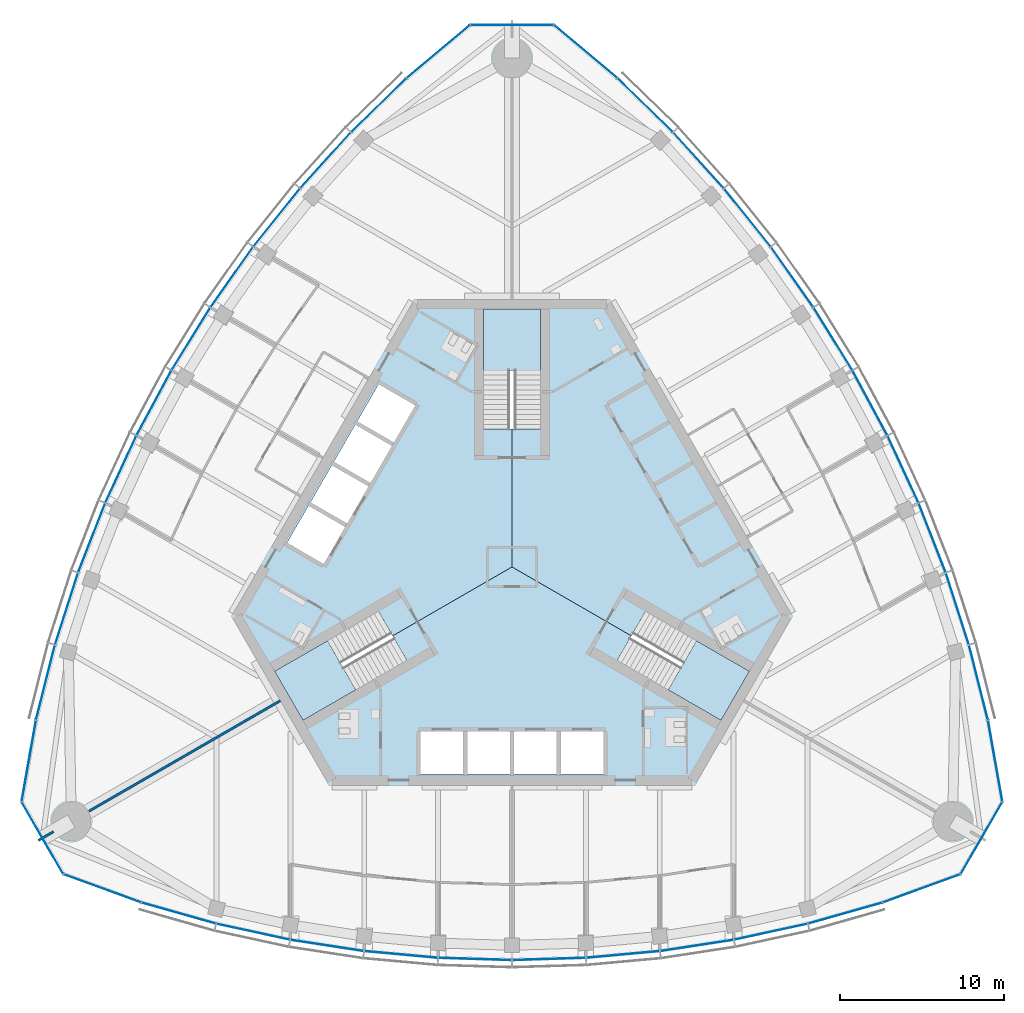
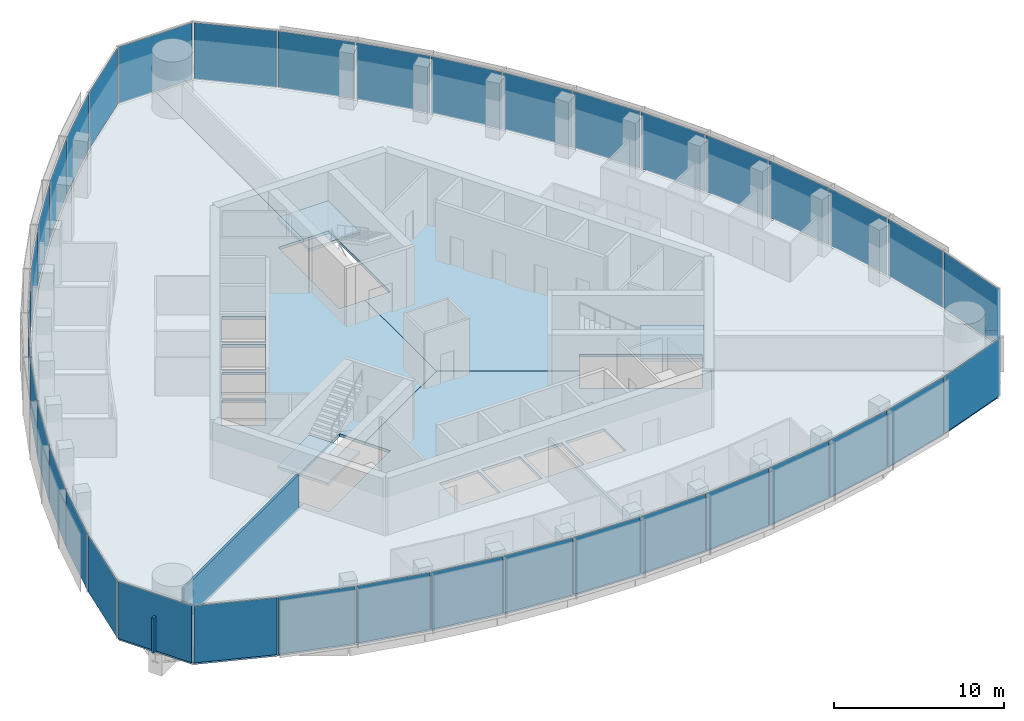
# One storey, part 7 of 16: 39 plates, 6 slabs, 2 walls, 9 elements without a shape of their own.
"""IFC4 building model written with IfcOpenShell, lengths in metres."""

from ifc_helpers import new_model, si_unit, direction, frame, frame_2d, origin, origin_2d, place, context, subcontext, project, spatial, polyline, rectangle, outline, extrude, material, layer, layer_set, type_object, element, aggregate, save


model = new_model("IFC4")

# Units and contexts
model_context = context("Model", 3, precision=1e-05, world=origin(), true_north=direction((0.0, 1.0)))
body_context = subcontext(model_context, "Body", "Model", "MODEL_VIEW")
ifc_project = project(units=[si_unit("LENGTHUNIT", "METRE"), si_unit("AREAUNIT", "SQUARE_METRE"), si_unit("VOLUMEUNIT", "CUBIC_METRE"), si_unit("PLANEANGLEUNIT", "RADIAN"), si_unit("MASSUNIT", "GRAM", prefix="KILO")], contexts=[model_context])

# Site, building, storey
site_placement = place(None, origin())
site = spatial("IfcSite", under=ifc_project, at=site_placement, CompositionType="ELEMENT")
building_placement = place(site_placement, origin())
building = spatial("IfcBuilding", under=site, at=building_placement, Name="Trefoil Bronze Tower", CompositionType="ELEMENT")
storey_placement = place(building_placement, frame((0.0, 0.0, 305.699951171875)))
storey = spatial("IfcBuildingStorey", under=building, at=storey_placement, Name="L70", CompositionType="ELEMENT", Elevation=305.699951171875)

# Curtain wall, plates
ifc_material_1 = material(Name="Tinted solar-control glass", Category="glass")
curtain_wall_type_1 = type_object("IfcCurtainWallType", Name="Bronze office curtain wall", PredefinedType="USERDEFINED", material=ifc_material_1)
curtain_wall_1_placement = place(storey_placement, origin())
curtain_wall_1 = element("IfcCurtainWall", 1, at=curtain_wall_1_placement, inside=storey, type_object=curtain_wall_type_1, Name="CW-A L70 F1", ObjectType="CURTAIN WALL", PredefinedType="USERDEFINED")
ifc_material_2 = material(Name="Tinted solar-control glass", Category="glass")
ifc_layer_1 = layer(ifc_material_2, 0.030029296875)
ifc_layer_set_1 = layer_set([ifc_layer_1], Name="Bronze office curtain wall glass panel")
plate_type_1 = type_object("IfcPlateType", Name="Bronze office curtain wall glass panel", PredefinedType="CURTAIN_PANEL", material=ifc_layer_set_1)
plate_1_placement = place(storey_placement, frame((-20.301513671875, -21.092529296875, 0.0), z_axis=(0.0, 0.0, 1.0), x_axis=(0.962097746943, -0.272704831875, 0.0)))
plate_1 = element("IfcPlate", 2, at=plate_1_placement, type_object=plate_type_1, Name="CW-A L70 F1 panel 1", PredefinedType="CURTAIN_PANEL", context=body_context, shape_type="SweptSolid", body=[
    extrude(rectangle(XDim=4.6474609375, YDim=0.030029296875, at=origin_2d()), origin(), (0.0, 0.0, 1.0), 4.080078125),
])
plate_2_placement = place(storey_placement, frame((-15.771240234375, -22.226318359375, 0.0), z_axis=(0.0, 0.0, 1.0), x_axis=(0.977303138829, -0.211845639168, 0.0)))
plate_2 = element("IfcPlate", 3, at=plate_2_placement, type_object=plate_type_1, Name="CW-A L70 F1 panel 2", PredefinedType="CURTAIN_PANEL", context=body_context, shape_type="SweptSolid", body=[
    extrude(rectangle(XDim=4.5244140625, YDim=0.030029296875, at=origin_2d()), origin(), (0.0, 0.0, 1.0), 4.080078125),
])
plate_3_placement = place(storey_placement, frame((-11.26513671875, -23.0595703125, 0.0), z_axis=(0.0, 0.0, 1.0), x_axis=(0.988485337216, -0.151316681529, 0.0)))
plate_3 = element("IfcPlate", 4, at=plate_3_placement, type_object=plate_type_1, Name="CW-A L70 F1 panel 3", PredefinedType="CURTAIN_PANEL", context=body_context, shape_type="SweptSolid", body=[
    extrude(rectangle(XDim=4.472412109375, YDim=0.030029296875, at=origin_2d()), origin(), (0.0, 0.0, 1.0), 4.080078125),
])
plate_4_placement = place(storey_placement, frame((-6.759033203125, -23.60986328125, 0.0), z_axis=(0.0, 0.0, 1.0), x_axis=(0.99587011625, -0.090789380212, 0.0)))
plate_4 = element("IfcPlate", 5, at=plate_4_placement, type_object=plate_type_1, Name="CW-A L70 F1 panel 4", PredefinedType="CURTAIN_PANEL", context=body_context, shape_type="SweptSolid", body=[
    extrude(rectangle(XDim=4.438720703125, YDim=0.030029296875, at=origin_2d()), origin(), (0.0, 0.0, 1.0), 4.080078125),
])
plate_5_placement = place(storey_placement, frame((-2.2529296875, -23.883544921875, 0.0), z_axis=(0.0, 0.0, 1.0), x_axis=(0.999541969785, -0.030263024264, 0.0)))
plate_5 = element("IfcPlate", 6, at=plate_5_placement, type_object=plate_type_1, Name="CW-A L70 F1 panel 5", PredefinedType="CURTAIN_PANEL", context=body_context, shape_type="SweptSolid", body=[
    extrude(rectangle(XDim=4.422119140625, YDim=0.030029296875, at=origin_2d()), origin(), (0.0, 0.0, 1.0), 4.080078125),
])
plate_6_placement = place(storey_placement, frame((2.2529296875, -23.883544921875, 0.0), z_axis=(0.0, 0.0, 1.0), x_axis=(0.999541969785, 0.030263024264, 0.0)))
plate_6 = element("IfcPlate", 7, at=plate_6_placement, type_object=plate_type_1, Name="CW-A L70 F1 panel 6", PredefinedType="CURTAIN_PANEL", context=body_context, shape_type="SweptSolid", body=[
    extrude(rectangle(XDim=4.422119140625, YDim=0.030029296875, at=origin_2d()), origin(), (0.0, 0.0, 1.0), 4.080078125),
])
plate_7_placement = place(storey_placement, frame((6.759033203125, -23.60986328125, 0.0), z_axis=(0.0, 0.0, 1.0), x_axis=(0.99587011625, 0.090789380212, 0.0)))
plate_7 = element("IfcPlate", 8, at=plate_7_placement, type_object=plate_type_1, Name="CW-A L70 F1 panel 7", PredefinedType="CURTAIN_PANEL", context=body_context, shape_type="SweptSolid", body=[
    extrude(rectangle(XDim=4.438720703125, YDim=0.030029296875, at=origin_2d()), origin(), (0.0, 0.0, 1.0), 4.080078125),
])
plate_8_placement = place(storey_placement, frame((11.26513671875, -23.0595703125, 0.0), z_axis=(0.0, 0.0, 1.0), x_axis=(0.988485337216, 0.151316681529, 0.0)))
plate_8 = element("IfcPlate", 9, at=plate_8_placement, type_object=plate_type_1, Name="CW-A L70 F1 panel 8", PredefinedType="CURTAIN_PANEL", context=body_context, shape_type="SweptSolid", body=[
    extrude(rectangle(XDim=4.472412109375, YDim=0.030029296875, at=origin_2d()), origin(), (0.0, 0.0, 1.0), 4.080078125),
])
plate_9_placement = place(storey_placement, frame((15.771240234375, -22.226318359375, 0.0), z_axis=(0.0, 0.0, 1.0), x_axis=(0.977303138829, 0.211845639168, 0.0)))
plate_9 = element("IfcPlate", 10, at=plate_9_placement, type_object=plate_type_1, Name="CW-A L70 F1 panel 9", PredefinedType="CURTAIN_PANEL", context=body_context, shape_type="SweptSolid", body=[
    extrude(rectangle(XDim=4.5244140625, YDim=0.030029296875, at=origin_2d()), origin(), (0.0, 0.0, 1.0), 4.080078125),
])
plate_10_placement = place(storey_placement, frame((20.301513671875, -21.092529296875, 0.0), z_axis=(0.0, 0.0, 1.0), x_axis=(0.962097746943, 0.272704831875, 0.0)))
plate_10 = element("IfcPlate", 11, at=plate_10_placement, type_object=plate_type_1, Name="CW-A L70 F1 panel 10", PredefinedType="CURTAIN_PANEL", context=body_context, shape_type="SweptSolid", body=[
    extrude(rectangle(XDim=4.6474609375, YDim=0.030029296875, at=origin_2d()), origin(), (0.0, 0.0, 1.0), 4.080078125),
])
aggregate(curtain_wall_1, [plate_1, plate_2, plate_3, plate_4, plate_5, plate_6, plate_7, plate_8, plate_9, plate_10])

curtain_wall_2_placement = place(storey_placement, origin())
curtain_wall_2 = element("IfcCurtainWall", 12, at=curtain_wall_2_placement, inside=storey, type_object=curtain_wall_type_1, Name="CW-A L70 F2", ObjectType="CURTAIN WALL", PredefinedType="USERDEFINED")
plate_11_placement = place(storey_placement, frame((28.417236328125, -7.035400390625, 0.0), z_axis=(0.0, 0.0, 1.0), x_axis=(-0.244879561333, 0.969553505713, 0.0)))
plate_11 = element("IfcPlate", 13, at=plate_11_placement, type_object=plate_type_1, Name="CW-A L70 F2 panel 1", PredefinedType="CURTAIN_PANEL", context=body_context, shape_type="SweptSolid", body=[
    extrude(rectangle(XDim=4.6474609375, YDim=0.030029296875, at=origin_2d()), origin(), (0.0, 0.0, 1.0), 4.080078125),
])
plate_12_placement = place(storey_placement, frame((27.134033203125, -2.545166015625, 0.0), z_axis=(0.0, 0.0, 1.0), x_axis=(-0.305187864214, 0.952292165009, 0.0)))
plate_12 = element("IfcPlate", 14, at=plate_12_placement, type_object=plate_type_1, Name="CW-A L70 F2 panel 2", PredefinedType="CURTAIN_PANEL", context=body_context, shape_type="SweptSolid", body=[
    extrude(rectangle(XDim=4.5244140625, YDim=0.030029296875, at=origin_2d()), origin(), (0.0, 0.0, 1.0), 4.080078125),
])
plate_13_placement = place(storey_placement, frame((25.602783203125, 1.77392578125, 0.0), z_axis=(0.0, 0.0, 1.0), x_axis=(-0.363198578387, 0.931711754062, 0.0)))
plate_13 = element("IfcPlate", 15, at=plate_13_placement, type_object=plate_type_1, Name="CW-A L70 F2 panel 3", PredefinedType="CURTAIN_PANEL", context=body_context, shape_type="SweptSolid", body=[
    extrude(rectangle(XDim=4.472412109375, YDim=0.030029296875, at=origin_2d()), origin(), (0.0, 0.0, 1.0), 4.080078125),
])
plate_14_placement = place(storey_placement, frame((23.826171875, 5.951416015625, 0.0), z_axis=(0.0, 0.0, 1.0), x_axis=(-0.419309148468, 0.907843509649, 0.0)))
plate_14 = element("IfcPlate", 16, at=plate_14_placement, type_object=plate_type_1, Name="CW-A L70 F2 panel 4", PredefinedType="CURTAIN_PANEL", context=body_context, shape_type="SweptSolid", body=[
    extrude(rectangle(XDim=4.438720703125, YDim=0.030029296875, at=origin_2d()), origin(), (0.0, 0.0, 1.0), 4.080078125),
])
plate_15_placement = place(storey_placement, frame((21.81005859375, 9.990478515625, 0.0), z_axis=(0.0, 0.0, 1.0), x_axis=(-0.473562437085, 0.880760250115, 0.0)))
plate_15 = element("IfcPlate", 17, at=plate_15_placement, type_object=plate_type_1, Name="CW-A L70 F2 panel 5", PredefinedType="CURTAIN_PANEL", context=body_context, shape_type="SweptSolid", body=[
    extrude(rectangle(XDim=4.422119140625, YDim=0.030029296875, at=origin_2d()), origin(), (0.0, 0.0, 1.0), 4.080078125),
])
plate_16_placement = place(storey_placement, frame((19.55712890625, 13.892822265625, 0.0), z_axis=(0.0, 0.0, 1.0), x_axis=(-0.525979532701, 0.850497225851, 0.0)))
plate_16 = element("IfcPlate", 18, at=plate_16_placement, type_object=plate_type_1, Name="CW-A L70 F2 panel 6", PredefinedType="CURTAIN_PANEL", context=body_context, shape_type="SweptSolid", body=[
    extrude(rectangle(XDim=4.422119140625, YDim=0.030029296875, at=origin_2d()), origin(), (0.0, 0.0, 1.0), 4.080078125),
])
plate_17_placement = place(storey_placement, frame((17.067138671875, 17.658447265625, 0.0), z_axis=(0.0, 0.0, 1.0), x_axis=(-0.576560967783, 0.817054129437, 0.0)))
plate_17 = element("IfcPlate", 19, at=plate_17_placement, type_object=plate_type_1, Name="CW-A L70 F2 panel 7", PredefinedType="CURTAIN_PANEL", context=body_context, shape_type="SweptSolid", body=[
    extrude(rectangle(XDim=4.438720703125, YDim=0.030029296875, at=origin_2d()), origin(), (0.0, 0.0, 1.0), 4.080078125),
])
plate_18_placement = place(storey_placement, frame((14.337646484375, 21.28564453125, 0.0), z_axis=(0.0, 0.0, 1.0), x_axis=(-0.625286758829, 0.780395072533, 0.0)))
plate_18 = element("IfcPlate", 20, at=plate_18_placement, type_object=plate_type_1, Name="CW-A L70 F2 panel 8", PredefinedType="CURTAIN_PANEL", context=body_context, shape_type="SweptSolid", body=[
    extrude(rectangle(XDim=4.472412109375, YDim=0.030029296875, at=origin_2d()), origin(), (0.0, 0.0, 1.0), 4.080078125),
])
plate_19_placement = place(storey_placement, frame((11.36279296875, 24.771484375, 0.0), z_axis=(0.0, 0.0, 1.0), x_axis=(-0.672115274615, 0.74044652584, 0.0)))
plate_19 = element("IfcPlate", 21, at=plate_19_placement, type_object=plate_type_1, Name="CW-A L70 F2 panel 9", PredefinedType="CURTAIN_PANEL", context=body_context, shape_type="SweptSolid", body=[
    extrude(rectangle(XDim=4.5244140625, YDim=0.030029296875, at=origin_2d()), origin(), (0.0, 0.0, 1.0), 4.080078125),
])
plate_20_placement = place(storey_placement, frame((8.115966796875, 28.127685546875, 0.0), z_axis=(0.0, 0.0, 1.0), x_axis=(-0.71721818561, 0.696848673839, 0.0)))
plate_20 = element("IfcPlate", 22, at=plate_20_placement, type_object=plate_type_1, Name="CW-A L70 F2 panel 10", PredefinedType="CURTAIN_PANEL", context=body_context, shape_type="SweptSolid", body=[
    extrude(rectangle(XDim=4.6474609375, YDim=0.030029296875, at=origin_2d()), origin(), (0.0, 0.0, 1.0), 4.080078125),
])
aggregate(curtain_wall_2, [plate_11, plate_12, plate_13, plate_14, plate_15, plate_16, plate_17, plate_18, plate_19, plate_20])

curtain_wall_3_placement = place(storey_placement, origin())
curtain_wall_3 = element("IfcCurtainWall", 23, at=curtain_wall_3_placement, inside=storey, type_object=curtain_wall_type_1, Name="CW-A L70 F3", ObjectType="CURTAIN WALL", PredefinedType="USERDEFINED")
plate_21_placement = place(storey_placement, frame((-8.115966796875, 28.127685546875, 0.0), z_axis=(0.0, 0.0, 1.0), x_axis=(-0.71721818561, -0.696848673839, 0.0)))
plate_21 = element("IfcPlate", 24, at=plate_21_placement, type_object=plate_type_1, Name="CW-A L70 F3 panel 1", PredefinedType="CURTAIN_PANEL", context=body_context, shape_type="SweptSolid", body=[
    extrude(rectangle(XDim=4.6474609375, YDim=0.030029296875, at=origin_2d()), origin(), (0.0, 0.0, 1.0), 4.080078125),
])
plate_22_placement = place(storey_placement, frame((-11.36279296875, 24.771484375, 0.0), z_axis=(0.0, 0.0, 1.0), x_axis=(-0.672115274615, -0.74044652584, 0.0)))
plate_22 = element("IfcPlate", 25, at=plate_22_placement, type_object=plate_type_1, Name="CW-A L70 F3 panel 2", PredefinedType="CURTAIN_PANEL", context=body_context, shape_type="SweptSolid", body=[
    extrude(rectangle(XDim=4.5244140625, YDim=0.030029296875, at=origin_2d()), origin(), (0.0, 0.0, 1.0), 4.080078125),
])
plate_23_placement = place(storey_placement, frame((-14.337646484375, 21.28564453125, 0.0), z_axis=(0.0, 0.0, 1.0), x_axis=(-0.625286758829, -0.780395072533, 0.0)))
plate_23 = element("IfcPlate", 26, at=plate_23_placement, type_object=plate_type_1, Name="CW-A L70 F3 panel 3", PredefinedType="CURTAIN_PANEL", context=body_context, shape_type="SweptSolid", body=[
    extrude(rectangle(XDim=4.472412109375, YDim=0.030029296875, at=origin_2d()), origin(), (0.0, 0.0, 1.0), 4.080078125),
])
plate_24_placement = place(storey_placement, frame((-17.067138671875, 17.658447265625, 0.0), z_axis=(0.0, 0.0, 1.0), x_axis=(-0.576560967783, -0.817054129437, 0.0)))
plate_24 = element("IfcPlate", 27, at=plate_24_placement, type_object=plate_type_1, Name="CW-A L70 F3 panel 4", PredefinedType="CURTAIN_PANEL", context=body_context, shape_type="SweptSolid", body=[
    extrude(rectangle(XDim=4.438720703125, YDim=0.030029296875, at=origin_2d()), origin(), (0.0, 0.0, 1.0), 4.080078125),
])
plate_25_placement = place(storey_placement, frame((-19.55712890625, 13.892822265625, 0.0), z_axis=(0.0, 0.0, 1.0), x_axis=(-0.525979532701, -0.850497225851, 0.0)))
plate_25 = element("IfcPlate", 28, at=plate_25_placement, type_object=plate_type_1, Name="CW-A L70 F3 panel 5", PredefinedType="CURTAIN_PANEL", context=body_context, shape_type="SweptSolid", body=[
    extrude(rectangle(XDim=4.422119140625, YDim=0.030029296875, at=origin_2d()), origin(), (0.0, 0.0, 1.0), 4.080078125),
])
plate_26_placement = place(storey_placement, frame((-21.81005859375, 9.990478515625, 0.0), z_axis=(0.0, 0.0, 1.0), x_axis=(-0.473562437085, -0.880760250115, 0.0)))
plate_26 = element("IfcPlate", 29, at=plate_26_placement, type_object=plate_type_1, Name="CW-A L70 F3 panel 6", PredefinedType="CURTAIN_PANEL", context=body_context, shape_type="SweptSolid", body=[
    extrude(rectangle(XDim=4.422119140625, YDim=0.030029296875, at=origin_2d()), origin(), (0.0, 0.0, 1.0), 4.080078125),
])
plate_27_placement = place(storey_placement, frame((-23.826171875, 5.951416015625, 0.0), z_axis=(0.0, 0.0, 1.0), x_axis=(-0.419309148468, -0.907843509649, 0.0)))
plate_27 = element("IfcPlate", 30, at=plate_27_placement, type_object=plate_type_1, Name="CW-A L70 F3 panel 7", PredefinedType="CURTAIN_PANEL", context=body_context, shape_type="SweptSolid", body=[
    extrude(rectangle(XDim=4.438720703125, YDim=0.030029296875, at=origin_2d()), origin(), (0.0, 0.0, 1.0), 4.080078125),
])
plate_28_placement = place(storey_placement, frame((-25.602783203125, 1.77392578125, 0.0), z_axis=(0.0, 0.0, 1.0), x_axis=(-0.363198578387, -0.931711754062, 0.0)))
plate_28 = element("IfcPlate", 31, at=plate_28_placement, type_object=plate_type_1, Name="CW-A L70 F3 panel 8", PredefinedType="CURTAIN_PANEL", context=body_context, shape_type="SweptSolid", body=[
    extrude(rectangle(XDim=4.472412109375, YDim=0.030029296875, at=origin_2d()), origin(), (0.0, 0.0, 1.0), 4.080078125),
])
plate_29_placement = place(storey_placement, frame((-27.134033203125, -2.545166015625, 0.0), z_axis=(0.0, 0.0, 1.0), x_axis=(-0.305187864214, -0.952292165009, 0.0)))
plate_29 = element("IfcPlate", 32, at=plate_29_placement, type_object=plate_type_1, Name="CW-A L70 F3 panel 9", PredefinedType="CURTAIN_PANEL", context=body_context, shape_type="SweptSolid", body=[
    extrude(rectangle(XDim=4.5244140625, YDim=0.030029296875, at=origin_2d()), origin(), (0.0, 0.0, 1.0), 4.080078125),
])
plate_30_placement = place(storey_placement, frame((-28.417236328125, -7.035400390625, 0.0), z_axis=(0.0, 0.0, 1.0), x_axis=(-0.244879561333, -0.969553505713, 0.0)))
plate_30 = element("IfcPlate", 33, at=plate_30_placement, type_object=plate_type_1, Name="CW-A L70 F3 panel 10", PredefinedType="CURTAIN_PANEL", context=body_context, shape_type="SweptSolid", body=[
    extrude(rectangle(XDim=4.6474609375, YDim=0.030029296875, at=origin_2d()), origin(), (0.0, 0.0, 1.0), 4.080078125),
])
aggregate(curtain_wall_3, [plate_21, plate_22, plate_23, plate_24, plate_25, plate_26, plate_27, plate_28, plate_29, plate_30])

ifc_material_3 = material(Name="Tinted solar-control glass", Category="glass")
curtain_wall_type_2 = type_object("IfcCurtainWallType", Name="Bronze rounded corner curtain wall", PredefinedType="USERDEFINED", material=ifc_material_3)
curtain_wall_4_placement = place(storey_placement, origin())
curtain_wall_4 = element("IfcCurtainWall", 34, at=curtain_wall_4_placement, inside=storey, type_object=curtain_wall_type_2, Name="CW-B L70 K1", ObjectType="CURTAIN WALL", PredefinedType="USERDEFINED")
ifc_material_4 = material(Name="Tinted solar-control glass", Category="glass")
ifc_layer_2 = layer(ifc_material_4, 0.030029296875)
ifc_layer_set_2 = layer_set([ifc_layer_2], Name="Bronze rounded corner curtain wall glass panel")
plate_type_2 = type_object("IfcPlateType", Name="Bronze rounded corner curtain wall glass panel", PredefinedType="CURTAIN_PANEL", material=ifc_layer_set_2)
plate_31_placement = place(storey_placement, frame((24.939453125, -19.587646484375, 0.0), z_axis=(0.0, 0.0, 1.0), x_axis=(0.939692620786, 0.342020143326, 0.0)))
plate_31 = element("IfcPlate", 35, at=plate_31_placement, type_object=plate_type_2, Name="CW-B L70 K1 panel 1", PredefinedType="CURTAIN_PANEL", context=body_context, shape_type="SweptSolid", body=[
    extrude(rectangle(XDim=4.956298828125, YDim=0.030029296875, at=origin_2d()), origin(), (0.0, 0.0, 1.0), 4.080078125),
])
plate_32_placement = place(storey_placement, frame((28.602783203125, -16.513916015625, 0.0), z_axis=(0.0, 0.0, 1.0), x_axis=(0.5, 0.866025403784, 0.0)))
plate_32 = element("IfcPlate", 36, at=plate_32_placement, type_object=plate_type_2, Name="CW-B L70 K1 panel 2", PredefinedType="CURTAIN_PANEL", context=body_context, shape_type="SweptSolid", body=[
    extrude(rectangle(XDim=4.956298828125, YDim=0.030029296875, at=origin_2d()), origin(), (0.0, 0.0, 1.0), 4.080078125),
])
plate_33_placement = place(storey_placement, frame((29.43310546875, -11.80419921875, 0.0), z_axis=(0.0, 0.0, 1.0), x_axis=(-0.173648177667, 0.984807753012, 0.0)))
plate_33 = element("IfcPlate", 37, at=plate_33_placement, type_object=plate_type_2, Name="CW-B L70 K1 panel 3", PredefinedType="CURTAIN_PANEL", context=body_context, shape_type="SweptSolid", body=[
    extrude(rectangle(XDim=4.956298828125, YDim=0.030029296875, at=origin_2d()), origin(), (0.0, 0.0, 1.0), 4.080078125),
])
aggregate(curtain_wall_4, [plate_31, plate_32, plate_33])

curtain_wall_5_placement = place(storey_placement, origin())
curtain_wall_5 = element("IfcCurtainWall", 38, at=curtain_wall_5_placement, inside=storey, type_object=curtain_wall_type_2, Name="CW-B L70 K2", ObjectType="CURTAIN WALL", PredefinedType="USERDEFINED")
plate_34_placement = place(storey_placement, frame((4.493896484375, 31.39208984375, 0.0), z_axis=(0.0, 0.0, 1.0), x_axis=(-0.766044443119, 0.642787609687, 0.0)))
plate_34 = element("IfcPlate", 39, at=plate_34_placement, type_object=plate_type_2, Name="CW-B L70 K2 panel 1", PredefinedType="CURTAIN_PANEL", context=body_context, shape_type="SweptSolid", body=[
    extrude(rectangle(XDim=4.956298828125, YDim=0.030029296875, at=origin_2d()), origin(), (0.0, 0.0, 1.0), 4.080078125),
])
plate_35_placement = place(storey_placement, frame((0.0, 33.027587890625, 0.0), z_axis=(0.0, 0.0, 1.0), x_axis=(-1.0, 0.0, 0.0)))
plate_35 = element("IfcPlate", 40, at=plate_35_placement, type_object=plate_type_2, Name="CW-B L70 K2 panel 2", PredefinedType="CURTAIN_PANEL", context=body_context, shape_type="SweptSolid", body=[
    extrude(rectangle(XDim=4.956298828125, YDim=0.030029296875, at=origin_2d()), origin(), (0.0, 0.0, 1.0), 4.080078125),
])
plate_36_placement = place(storey_placement, frame((-4.493896484375, 31.39208984375, 0.0), z_axis=(0.0, 0.0, 1.0), x_axis=(-0.766044443119, -0.642787609687, 0.0)))
plate_36 = element("IfcPlate", 41, at=plate_36_placement, type_object=plate_type_2, Name="CW-B L70 K2 panel 3", PredefinedType="CURTAIN_PANEL", context=body_context, shape_type="SweptSolid", body=[
    extrude(rectangle(XDim=4.956298828125, YDim=0.030029296875, at=origin_2d()), origin(), (0.0, 0.0, 1.0), 4.080078125),
])
aggregate(curtain_wall_5, [plate_34, plate_35, plate_36])

curtain_wall_6_placement = place(storey_placement, origin())
curtain_wall_6 = element("IfcCurtainWall", 42, at=curtain_wall_6_placement, inside=storey, type_object=curtain_wall_type_2, Name="CW-B L70 K3", ObjectType="CURTAIN WALL", PredefinedType="USERDEFINED")
plate_37_placement = place(storey_placement, frame((-29.43310546875, -11.80419921875, 0.0), z_axis=(0.0, 0.0, 1.0), x_axis=(-0.173648177667, -0.984807753012, 0.0)))
plate_37 = element("IfcPlate", 43, at=plate_37_placement, type_object=plate_type_2, Name="CW-B L70 K3 panel 1", PredefinedType="CURTAIN_PANEL", context=body_context, shape_type="SweptSolid", body=[
    extrude(rectangle(XDim=4.956298828125, YDim=0.030029296875, at=origin_2d()), origin(), (0.0, 0.0, 1.0), 4.080078125),
])
plate_38_placement = place(storey_placement, frame((-28.602783203125, -16.513916015625, 0.0), z_axis=(0.0, 0.0, 1.0), x_axis=(0.5, -0.866025403784, 0.0)))
plate_38 = element("IfcPlate", 44, at=plate_38_placement, type_object=plate_type_2, Name="CW-B L70 K3 panel 2", PredefinedType="CURTAIN_PANEL", context=body_context, shape_type="SweptSolid", body=[
    extrude(rectangle(XDim=4.956298828125, YDim=0.030029296875, at=origin_2d()), origin(), (0.0, 0.0, 1.0), 4.080078125),
])
plate_39_placement = place(storey_placement, frame((-24.939453125, -19.587646484375, 0.0), z_axis=(0.0, 0.0, 1.0), x_axis=(0.939692620786, -0.342020143326, 0.0)))
plate_39 = element("IfcPlate", 45, at=plate_39_placement, type_object=plate_type_2, Name="CW-B L70 K3 panel 3", PredefinedType="CURTAIN_PANEL", context=body_context, shape_type="SweptSolid", body=[
    extrude(rectangle(XDim=4.956298828125, YDim=0.030029296875, at=origin_2d()), origin(), (0.0, 0.0, 1.0), 4.080078125),
])
aggregate(curtain_wall_6, [plate_37, plate_38, plate_39])

# Slabs
ifc_material_5 = material(Name="Concrete B30", Category="concrete")
ifc_layer_3 = layer(ifc_material_5, 0.199951171875)
ifc_layer_set_3 = layer_set([ifc_layer_3], Name="Floor slab 200")
slab_type_1 = type_object("IfcSlabType", Name="Floor slab 200", PredefinedType="FLOOR", material=ifc_layer_set_3)
slab_1_placement = place(storey_placement, frame((0.0, 0.0, -0.199951171875)))
element("IfcSlab", 46, at=slab_1_placement, inside=storey, type_object=slab_type_1, Name="Floor slab L70 face 1", PredefinedType="FLOOR", context=body_context, shape_type="SweptSolid", body=[
    extrude(outline(polyline([(13.5, -22.6162109375), (9.0, -23.30517578125), (4.5, -23.71533203125), (0.0, -23.8515625), (-4.5, -23.71533203125), (-9.0, -23.30517578125), (-13.5, -22.6162109375), (-18.0, -21.640869140625), (-22.54833984375, -20.3515625), (-27.261962890625, -18.635986328125), (-28.51611328125, -16.4638671875), (-13.510009765625, -7.800048828125), (-12.6474609375, -9.2939453125), (-6.412109375, -5.69384765625), (-7.274658203125, -4.199951171875), (0.0, 0.0), (7.274658203125, -4.199951171875), (6.412109375, -5.69384765625), (12.6474609375, -9.2939453125), (13.510009765625, -7.800048828125), (28.51611328125, -16.4638671875), (27.261962890625, -18.635986328125), (22.54833984375, -20.3515625), (18.0, -21.640869140625), (13.5, -22.6162109375)]), holes=[polyline([(-5.574951171875, -10.02490234375), (-2.97509765625, -10.02490234375), (-2.97509765625, -12.60009765625), (-5.574951171875, -12.60009765625), (-5.574951171875, -10.02490234375)]), polyline([(-2.72509765625, -10.02490234375), (-0.125, -10.02490234375), (-0.125, -12.60009765625), (-2.72509765625, -12.60009765625), (-2.72509765625, -10.02490234375)]), polyline([(0.125, -10.02490234375), (2.72509765625, -10.02490234375), (2.72509765625, -12.60009765625), (0.125, -12.60009765625), (0.125, -10.02490234375)]), polyline([(2.97509765625, -10.02490234375), (5.574951171875, -10.02490234375), (5.574951171875, -12.60009765625), (2.97509765625, -12.60009765625), (2.97509765625, -10.02490234375)])]), origin(), (0.0, 0.0, 1.0), 0.199951171875),
])
slab_2_placement = place(storey_placement, frame((0.0, 0.0, -0.199951171875)))
element("IfcSlab", 47, at=slab_2_placement, inside=storey, type_object=slab_type_1, Name="Floor slab L70 face 2", PredefinedType="FLOOR", context=body_context, shape_type="SweptSolid", body=[
    extrude(outline(polyline([(12.836181640625, 22.99951171875), (15.682861328125, 19.44677734375), (18.2880859375, 15.7548828125), (20.656005859375, 11.92578125), (22.7880859375, 7.96044921875), (24.682861328125, 3.8583984375), (26.336181640625, -0.38330078125), (27.741455078125, -4.76806640625), (28.899169921875, -9.3515625), (29.770263671875, -14.291748046875), (28.51611328125, -16.4638671875), (13.510009765625, -7.800048828125), (14.37255859375, -6.30615234375), (8.13720703125, -2.7060546875), (7.274658203125, -4.199951171875), (0.0, 0.0), (0.0, 8.39990234375), (1.72509765625, 8.39990234375), (1.72509765625, 15.60009765625), (0.0, 15.60009765625), (0.0, 32.927490234375), (2.508056640625, 32.927490234375), (6.350830078125, 29.703125), (9.741455078125, 26.408935546875), (12.836181640625, 22.99951171875)])), origin(), (0.0, 0.0, 1.0), 0.199951171875),
])
slab_3_placement = place(storey_placement, frame((0.0, 0.0, -0.199951171875)))
element("IfcSlab", 48, at=slab_3_placement, inside=storey, type_object=slab_type_1, Name="Floor slab L70 face 3", PredefinedType="FLOOR", context=body_context, shape_type="SweptSolid", body=[
    extrude(outline(polyline([(-26.336181640625, -0.38330078125), (-24.682861328125, 3.8583984375), (-22.7880859375, 7.96044921875), (-20.656005859375, 11.92578125), (-18.2880859375, 15.7548828125), (-15.682861328125, 19.44677734375), (-12.836181640625, 22.99951171875), (-9.741455078125, 26.408935546875), (-6.350830078125, 29.703125), (-2.508056640625, 32.927490234375), (0.0, 32.927490234375), (0.0, 15.60009765625), (-1.72509765625, 15.60009765625), (-1.72509765625, 8.39990234375), (0.0, 8.39990234375), (0.0, 0.0), (-7.274658203125, -4.199951171875), (-8.13720703125, -2.7060546875), (-14.37255859375, -6.30615234375), (-13.510009765625, -7.800048828125), (-28.51611328125, -16.4638671875), (-29.770263671875, -14.291748046875), (-28.899169921875, -9.3515625), (-27.741455078125, -4.76806640625), (-26.336181640625, -0.38330078125)]), holes=[polyline([(-5.894287109375, 9.840576171875), (-7.1943359375, 7.5888671875), (-9.42431640625, 8.87646484375), (-8.12451171875, 11.128173828125), (-5.894287109375, 9.840576171875)]), polyline([(-7.3193359375, 7.372314453125), (-8.619384765625, 5.120849609375), (-10.849365234375, 6.408203125), (-9.54931640625, 8.659912109375), (-7.3193359375, 7.372314453125)]), polyline([(-8.744384765625, 4.904296875), (-10.04443359375, 2.652587890625), (-12.2744140625, 3.940185546875), (-10.974365234375, 6.191650390625), (-8.744384765625, 4.904296875)]), polyline([(-10.16943359375, 2.43603515625), (-11.469482421875, 0.184326171875), (-13.699462890625, 1.471923828125), (-12.3994140625, 3.7236328125), (-10.16943359375, 2.43603515625)])]), origin(), (0.0, 0.0, 1.0), 0.199951171875),
])

# Stair, slab
ifc_material_6 = material(Name="Precast concrete B80", Category="concrete")
stair_type = type_object("IfcStairType", Name="Exit stair 26 risers", PredefinedType="HALF_TURN_STAIR", material=ifc_material_6)
stair_1_placement = place(storey_placement, origin())
stair_1 = element("IfcStair", 49, at=stair_1_placement, inside=storey, type_object=stair_type, Name="Stair ST1 L70", PredefinedType="HALF_TURN_STAIR")
ifc_material_7 = material(Name="Concrete B30", Category="concrete")
ifc_layer_4 = layer(ifc_material_7, 0.199951171875)
ifc_layer_set_4 = layer_set([ifc_layer_4], Name="Stair landing 200")
slab_type_2 = type_object("IfcSlabType", Name="Stair landing 200", PredefinedType="LANDING", material=ifc_layer_set_4)
slab_4_placement = place(storey_placement, frame((0.0, 0.0, 1.900146484375)))
slab_4 = element("IfcSlab", 50, at=slab_4_placement, type_object=slab_type_2, Name="ST1 landing 1", PredefinedType="LANDING", context=body_context, shape_type="SweptSolid", body=[
    extrude(outline(polyline([(9.512451171875, -7.48388671875), (12.734130859375, -9.343994140625), (14.458984375, -6.356201171875), (11.237548828125, -4.49609375), (9.512451171875, -7.48388671875)])), origin(), (0.0, 0.0, 1.0), 0.199951171875),
])
aggregate(stair_1, [slab_4])

stair_2_placement = place(storey_placement, origin())
stair_2 = element("IfcStair", 51, at=stair_2_placement, inside=storey, type_object=stair_type, Name="Stair ST2 L70", PredefinedType="HALF_TURN_STAIR")
slab_5_placement = place(storey_placement, frame((0.0, 0.0, 1.900146484375)))
slab_5 = element("IfcSlab", 52, at=slab_5_placement, type_object=slab_type_2, Name="ST2 landing 1", PredefinedType="LANDING", context=body_context, shape_type="SweptSolid", body=[
    extrude(outline(polyline([(1.72509765625, 11.97998046875), (1.72509765625, 15.699951171875), (-1.72509765625, 15.699951171875), (-1.72509765625, 11.97998046875), (1.72509765625, 11.97998046875)])), origin(), (0.0, 0.0, 1.0), 0.199951171875),
])
aggregate(stair_2, [slab_5])

stair_3_placement = place(storey_placement, origin())
stair_3 = element("IfcStair", 53, at=stair_3_placement, inside=storey, type_object=stair_type, Name="Stair ST3 L70", PredefinedType="HALF_TURN_STAIR")
slab_6_placement = place(storey_placement, frame((0.0, 0.0, 1.900146484375)))
slab_6 = element("IfcSlab", 54, at=slab_6_placement, type_object=slab_type_2, Name="ST3 landing 1", PredefinedType="LANDING", context=body_context, shape_type="SweptSolid", body=[
    extrude(outline(polyline([(-11.237548828125, -4.49609375), (-14.458984375, -6.356201171875), (-12.734130859375, -9.343994140625), (-9.512451171875, -7.48388671875), (-11.237548828125, -4.49609375)])), origin(), (0.0, 0.0, 1.0), 0.199951171875),
])
aggregate(stair_3, [slab_6])

# Walls
ifc_material_8 = material(Name="Gypsum board on steel studs", Category="steel")
ifc_layer_5 = layer(ifc_material_8, 0.14990234375)
ifc_layer_set_5 = layer_set([ifc_layer_5], Name="Party wall 150")
wall_type = type_object("IfcWallType", Name="Party wall 150", PredefinedType="PARTITIONING", material=ifc_layer_set_5)
wall_1_placement = place(storey_placement, frame((-14.1162109375, -8.14990234375, 0.0), z_axis=(0.0, 0.0, 1.0), x_axis=(-0.866020541135, -0.500008422262, 0.0)))
element("IfcWall", 55, at=wall_1_placement, inside=storey, type_object=wall_type, Name="Party wall K3 L70", PredefinedType="PARTITIONING", context=body_context, shape_type="SweptSolid", body=[
    extrude(rectangle(XDim=13.449951171875, YDim=0.14990234375, at=frame_2d((6.72509765625, 0.0))), origin(), (0.0, 0.0, 1.0), 2.5),
])
wall_2_placement = place(storey_placement, frame((-27.92919921875, -16.125, 0.0), z_axis=(0.0, 0.0, 1.0), x_axis=(-0.866086810508, -0.499893625349, 0.0)))
element("IfcWall", 56, at=wall_2_placement, inside=storey, type_object=wall_type, Name="Party wall K3 L70", PredefinedType="PARTITIONING", context=body_context, shape_type="SweptSolid", body=[
    extrude(rectangle(XDim=1.070068359375, YDim=0.14990234375, at=frame_2d((0.53515625, 0.0))), origin(), (0.0, 0.0, 1.0), 2.5),
])

save(model, "model.ifc")
